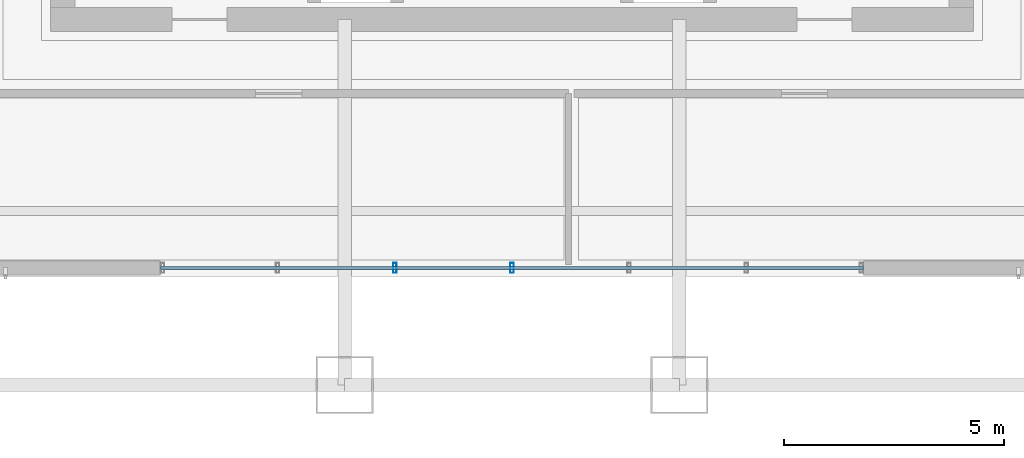
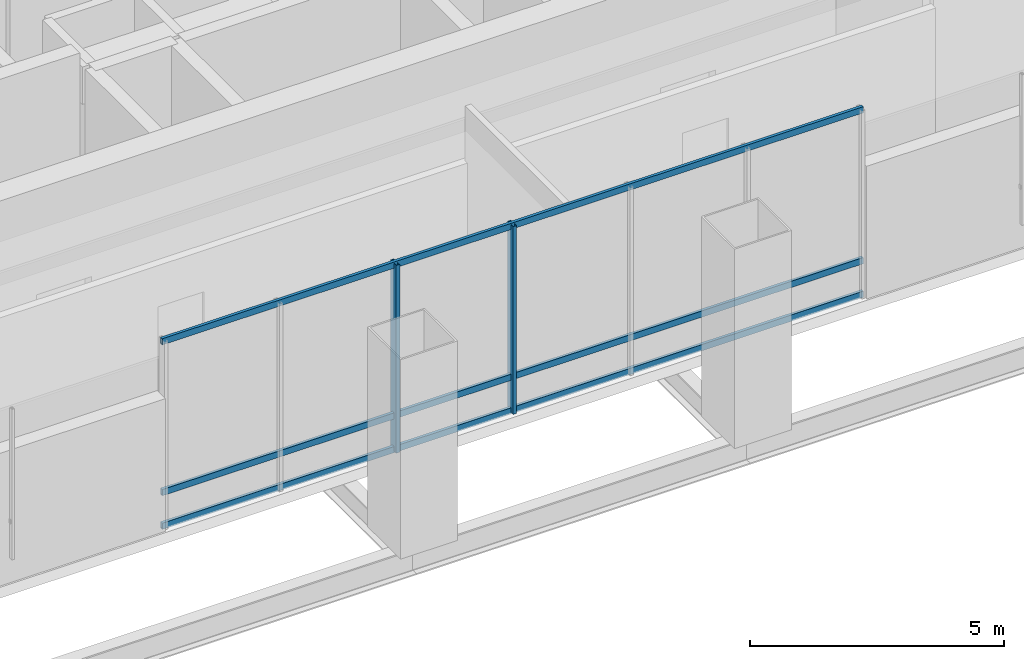
# One storey, part 4 of 33: 5 members, 1 element without a shape of its own.
"""IFC4 building model written with IfcOpenShell, lengths in metres."""

from ifc_helpers import new_model, si_unit, direction, frame, origin, origin_2d, place, context, subcontext, project, spatial, hollow_rectangle, extrude, material, material_profile, profile_set, type_object, element, aggregate, save


model = new_model("IFC4")

# Units and contexts
model_context = context("Model", 3, precision=1e-05, world=origin(), true_north=direction((0.0, 1.0)))
body_context = subcontext(model_context, "Body", "Model", "MODEL_VIEW")
ifc_project = project(units=[si_unit("LENGTHUNIT", "METRE"), si_unit("AREAUNIT", "SQUARE_METRE"), si_unit("VOLUMEUNIT", "CUBIC_METRE"), si_unit("PLANEANGLEUNIT", "RADIAN"), si_unit("MASSUNIT", "GRAM", prefix="KILO")], contexts=[model_context])

# Site, building, storey
site_placement = place(None, origin())
site = spatial("IfcSite", under=ifc_project, at=site_placement, CompositionType="ELEMENT")
building_placement = place(site_placement, origin())
building = spatial("IfcBuilding", under=site, at=building_placement, Name="Punatoya Terracotta Tower", CompositionType="ELEMENT")
storey_placement = place(building_placement, frame((0.0, 0.0, 246.60009765625)))
storey = spatial("IfcBuildingStorey", under=building, at=storey_placement, Name="L58", CompositionType="ELEMENT", Elevation=246.60009765625)

# Curtain wall, members
ifc_material_1 = material(Name="Aluminium 6063-T6 + Double Low-E Glass", Category="aluminium")
curtain_wall_type = type_object("IfcCurtainWallType", Name="CW-NCK", PredefinedType="NOTDEFINED", material=ifc_material_1)
curtain_wall_placement = place(storey_placement, origin())
curtain_wall = element("IfcCurtainWall", 1, at=curtain_wall_placement, inside=storey, type_object=curtain_wall_type, Name="L58 Curtain Wall CW-L58-S01-1", PredefinedType="NOTDEFINED")
ifc_material_2 = material(Name="Aluminium 6063-T6", Category="aluminium")
ifc_material_profile_1 = material_profile(ifc_material_2, hollow_rectangle(XDim=0.080078125, YDim=0.22509765625, WallThickness=0.0048828125, at=origin_2d()))
ifc_profile_set_1 = profile_set([ifc_material_profile_1], Name="Aluminium 6063-T6")
member_type_1 = type_object("IfcMemberType", Name="CW-MUL-NCK", PredefinedType="MULLION", material=ifc_profile_set_1)
member_1_placement = place(storey_placement, frame((-2.659912109375, -14.840087890625, 0.0), z_axis=(0.0, 0.0, 1.0), x_axis=(1.0, 0.0, 0.0)))
member_1 = element("IfcMember", 2, at=member_1_placement, type_object=member_type_1, Name="CW-L58-S01-1 Mullion 02", PredefinedType="MULLION", context=body_context, shape_type="SweptSolid", body=[
    extrude(hollow_rectangle(XDim=0.080078125, YDim=0.22509765625, WallThickness=0.0048828125, at=origin_2d()), origin(), (0.0, 0.0, 1.0), 4.52001953125),
])
member_2_placement = place(storey_placement, frame((0.0, -14.840087890625, 0.0), z_axis=(0.0, 0.0, 1.0), x_axis=(1.0, 0.0, 0.0)))
member_2 = element("IfcMember", 3, at=member_2_placement, type_object=member_type_1, Name="CW-L58-S01-1 Mullion 03", PredefinedType="MULLION", context=body_context, shape_type="SweptSolid", body=[
    extrude(hollow_rectangle(XDim=0.080078125, YDim=0.22509765625, WallThickness=0.0048828125, at=origin_2d()), origin(), (0.0, 0.0, 1.0), 4.52001953125),
])
ifc_material_profile_2 = material_profile(ifc_material_2, hollow_rectangle(XDim=0.068115234375, YDim=0.14990234375, WallThickness=0.00390625, at=origin_2d()))
ifc_profile_set_2 = profile_set([ifc_material_profile_2], Name="Aluminium 6063-T6")
member_type_2 = type_object("IfcMemberType", Name="CW-TRN-TYP", PredefinedType="USERDEFINED", material=ifc_profile_set_2)
member_3_placement = place(storey_placement, frame((-7.97998046875, -14.840087890625, 0.039794921875), z_axis=(1.0, 0.0, 0.0), x_axis=(0.0, 1.0, 0.0)))
member_3 = element("IfcMember", 4, at=member_3_placement, type_object=member_type_2, Name="CW-L58-S01-1 Transom 1", ObjectType="TRANSOM", PredefinedType="USERDEFINED", context=body_context, shape_type="SweptSolid", body=[
    extrude(hollow_rectangle(XDim=0.068115234375, YDim=0.14990234375, WallThickness=0.00390625, at=origin_2d()), origin(), (0.0, 0.0, 1.0), 15.9599609375),
])
member_4_placement = place(storey_placement, frame((-7.97998046875, -14.840087890625, 0.849853515625), z_axis=(1.0, 0.0, 0.0), x_axis=(0.0, 1.0, 0.0)))
member_4 = element("IfcMember", 5, at=member_4_placement, type_object=member_type_2, Name="CW-L58-S01-1 Transom 2", ObjectType="TRANSOM", PredefinedType="USERDEFINED", context=body_context, shape_type="SweptSolid", body=[
    extrude(hollow_rectangle(XDim=0.068115234375, YDim=0.14990234375, WallThickness=0.00390625, at=origin_2d()), origin(), (0.0, 0.0, 1.0), 15.9599609375),
])
member_5_placement = place(storey_placement, frame((-7.97998046875, -14.840087890625, 4.47998046875), z_axis=(1.0, 0.0, 0.0), x_axis=(0.0, 1.0, 0.0)))
member_5 = element("IfcMember", 6, at=member_5_placement, type_object=member_type_2, Name="CW-L58-S01-1 Transom 3", ObjectType="TRANSOM", PredefinedType="USERDEFINED", context=body_context, shape_type="SweptSolid", body=[
    extrude(hollow_rectangle(XDim=0.068115234375, YDim=0.14990234375, WallThickness=0.00390625, at=origin_2d()), origin(), (0.0, 0.0, 1.0), 15.9599609375),
])
aggregate(curtain_wall, [member_1, member_2, member_3, member_4, member_5])

save(model, "model.ifc")
